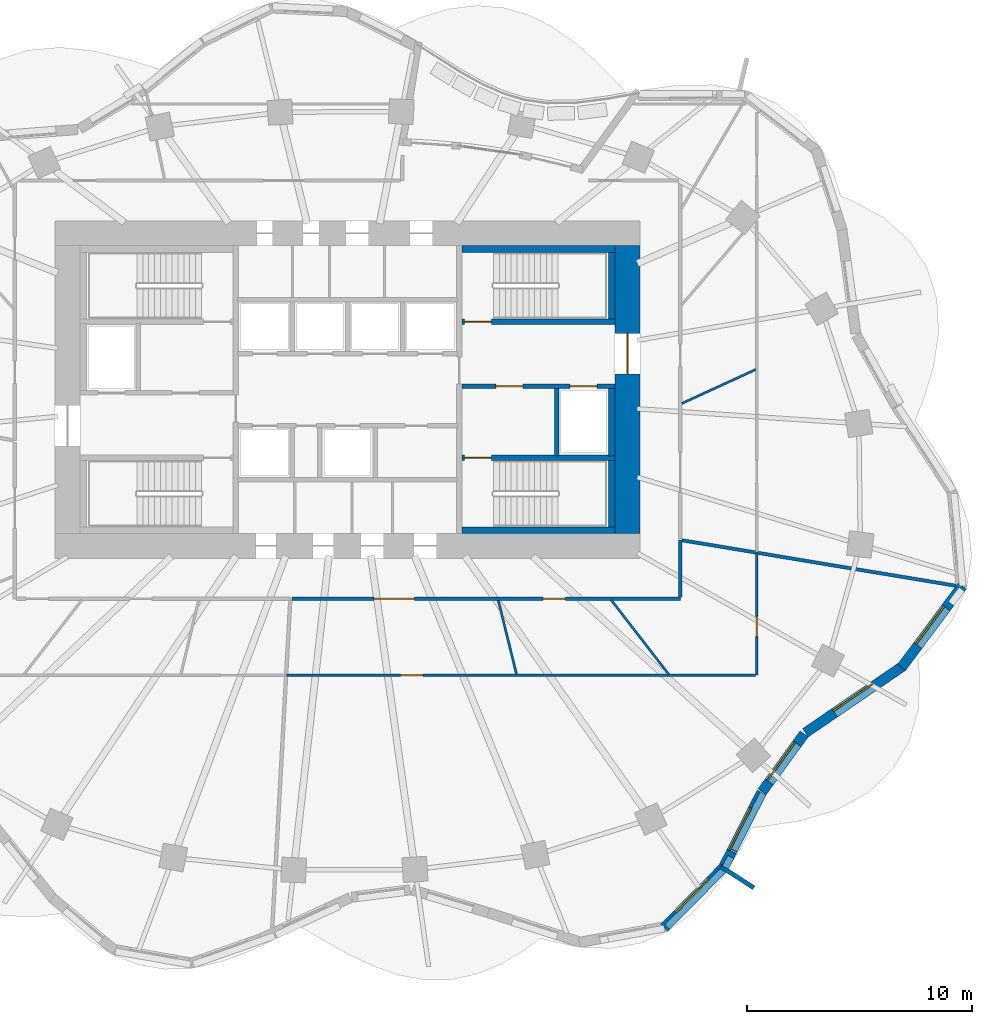
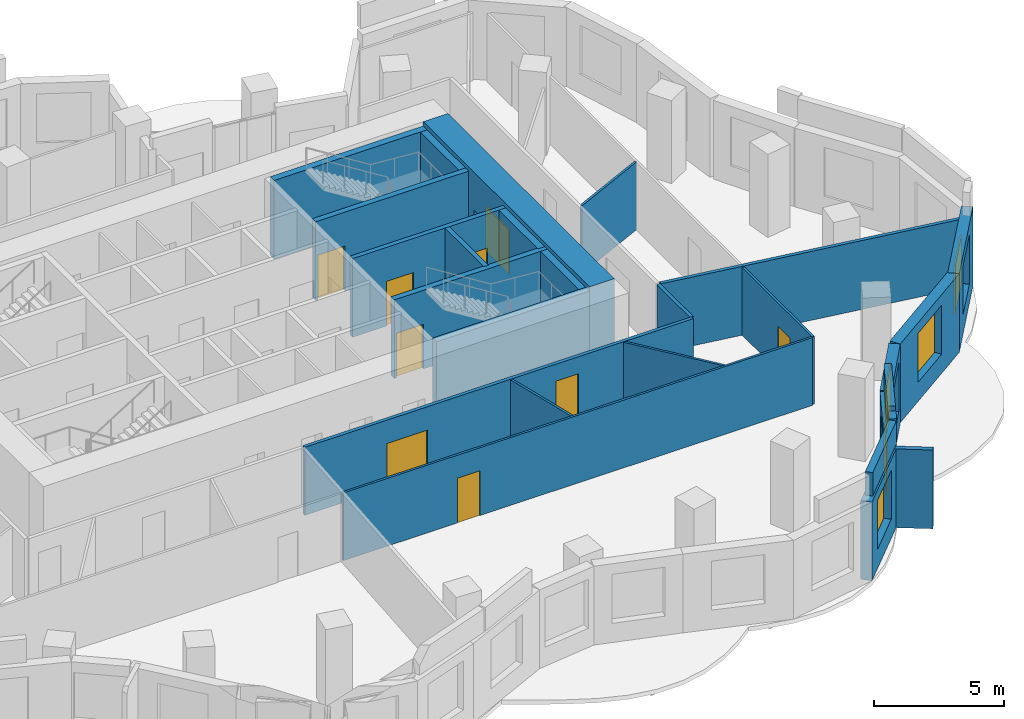
# One storey, part 7 of 11: 27 walls, 9 doors, 5 windows, 14 openings.
"""IFC4 building model written with IfcOpenShell, lengths in metres."""

from ifc_helpers import new_model, si_unit, direction, frame, frame_2d, origin, place, context, subcontext, project, spatial, rectangle, extrude, material, layer, layer_set, type_object, element, fill, save


model = new_model("IFC4")

# Units and contexts
model_context = context("Model", 3, precision=1e-05, world=origin(), true_north=direction((0.0, 1.0)))
body_context = subcontext(model_context, "Body", "Model", "MODEL_VIEW")
ifc_project = project(units=[si_unit("LENGTHUNIT", "METRE"), si_unit("AREAUNIT", "SQUARE_METRE"), si_unit("VOLUMEUNIT", "CUBIC_METRE"), si_unit("PLANEANGLEUNIT", "RADIAN"), si_unit("MASSUNIT", "GRAM", prefix="KILO")], contexts=[model_context])

# Site, building, storey
site_placement = place(None, origin())
site = spatial("IfcSite", under=ifc_project, at=site_placement, CompositionType="ELEMENT")
building_placement = place(site_placement, origin())
building = spatial("IfcBuilding", under=site, at=building_placement, Name="Rubra Terraces Tower", CompositionType="ELEMENT")
storey_placement = place(building_placement, frame((0.0, 0.0, 146.10009765625)))
storey = spatial("IfcBuildingStorey", under=building, at=storey_placement, Name="L35", CompositionType="ELEMENT", Elevation=146.10009765625)

# Wall, opening, window
ifc_material_1 = material(Name="Brick masonry red-brown", Category="masonry")
ifc_layer_1 = layer(ifc_material_1, 0.449951171875)
ifc_layer_set_1 = layer_set([ifc_layer_1], Name="Brick masonry red-brown")
wall_type_1 = type_object("IfcWallType", Name="Brick facade wall 450", PredefinedType="SOLIDWALL", material=ifc_layer_set_1)
wall_1_placement = place(storey_placement, frame((14.073974609375, -19.432861328125, 0.0), z_axis=(0.0, 0.0, 1.0), x_axis=(0.702451084622, 0.711732023808, 0.0)))
wall_1 = element("IfcWall", 1, at=wall_1_placement, inside=storey, type_object=wall_type_1, Name="Facade wall L35 bay 35", PredefinedType="SOLIDWALL", context=body_context, shape_type="SweptSolid", body=[
    extrude(rectangle(XDim=3.7880859375, YDim=0.449951171875, at=frame_2d((1.89404296875, 0.0))), origin(), (0.0, 0.0, 1.0), 3.699951171875),
])
opening_1_placement = place(wall_1_placement, frame((0.843994140625, 0.0, 0.89990234375)))
opening_1 = element("IfcOpeningElement", 2, at=opening_1_placement, cuts=wall_1, Name="Opening W1B", PredefinedType="OPENING", context=body_context, shape_type="SweptSolid", body=[
    extrude(rectangle(XDim=2.10009765625, YDim=2.300048828125, at=frame_2d((1.050048828125, 1.14990234375))), frame((0.0, 0.23486328125, 0.0), z_axis=(0.0, -1.0, 0.0), x_axis=(1.0, 0.0, 0.0)), (0.0, 0.0, 1.0), 0.469970703125),
])
ifc_material_2 = material(Name="Clear glass in aluminium frame", Category="aluminium")
window_type = type_object("IfcWindowType", Name="Fixed deep-set window tall storey 2100 x 2300", PartitioningType="SINGLE_PANEL", PredefinedType="WINDOW", material=ifc_material_2)
window_1_placement = place(opening_1_placement, origin())
window_1 = element("IfcWindow", 3, at=window_1_placement, inside=storey, type_object=window_type, Name="Window L35 bay 35", OverallHeight=2.300048828125, OverallWidth=2.10009765625, PartitioningType="SINGLE_PANEL", PredefinedType="WINDOW", context=body_context, shape_type="SweptSolid", body=[
    extrude(rectangle(XDim=2.10009765625, YDim=2.300048828125, at=frame_2d((1.050048828125, 1.14990234375))), frame((0.0, 0.135009765625, 0.0), z_axis=(0.0, -1.0, 0.0), x_axis=(1.0, 0.0, 0.0)), (0.0, 0.0, 1.0), 0.06005859375),
])
fill(opening_1, window_1)

wall_2_placement = place(storey_placement, frame((16.697021484375, -16.7880859375, 0.0), z_axis=(0.0, 0.0, 1.0), x_axis=(0.453390768189, 0.891311848525, 0.0)))
wall_2 = element("IfcWall", 4, at=wall_2_placement, inside=storey, type_object=wall_type_1, Name="Facade wall L35 bay 36", PredefinedType="SOLIDWALL", context=body_context, shape_type="SweptSolid", body=[
    extrude(rectangle(XDim=3.78759765625, YDim=0.449951171875, at=frame_2d((1.893798828125, 0.0))), origin(), (0.0, 0.0, 1.0), 3.699951171875),
])
opening_2_placement = place(wall_2_placement, frame((0.843994140625, 0.0, 0.89990234375)))
opening_2 = element("IfcOpeningElement", 5, at=opening_2_placement, cuts=wall_2, Name="Opening W1B", PredefinedType="OPENING", context=body_context, shape_type="SweptSolid", body=[
    extrude(rectangle(XDim=2.10009765625, YDim=2.300048828125, at=frame_2d((1.050048828125, 1.14990234375))), frame((0.0, 0.23486328125, 0.0), z_axis=(0.0, -1.0, 0.0), x_axis=(1.0, 0.0, 0.0)), (0.0, 0.0, 1.0), 0.469970703125),
])
window_2_placement = place(opening_2_placement, origin())
window_2 = element("IfcWindow", 6, at=window_2_placement, inside=storey, type_object=window_type, Name="Window L35 bay 36", OverallHeight=2.300048828125, OverallWidth=2.10009765625, PartitioningType="SINGLE_PANEL", PredefinedType="WINDOW", context=body_context, shape_type="SweptSolid", body=[
    extrude(rectangle(XDim=2.10009765625, YDim=2.300048828125, at=frame_2d((1.050048828125, 1.14990234375))), frame((0.0, 0.135009765625, 0.0), z_axis=(0.0, -1.0, 0.0), x_axis=(1.0, 0.0, 0.0)), (0.0, 0.0, 1.0), 0.06005859375),
])
fill(opening_2, window_2)

wall_3_placement = place(storey_placement, frame((18.43408203125, -13.381103515625, 0.0), z_axis=(0.0, 0.0, 1.0), x_axis=(0.58867331001, 0.808371037384, 0.0)))
wall_3 = element("IfcWall", 7, at=wall_3_placement, inside=storey, type_object=wall_type_1, Name="Facade wall L35 bay 37", PredefinedType="SOLIDWALL", context=body_context, shape_type="SweptSolid", body=[
    extrude(rectangle(XDim=3.1826171875, YDim=0.449951171875, at=frame_2d((1.59130859375, 0.0))), origin(), (0.0, 0.0, 1.0), 3.699951171875),
])
opening_3_placement = place(wall_3_placement, frame((0.541259765625, 0.0, 0.89990234375)))
opening_3 = element("IfcOpeningElement", 8, at=opening_3_placement, cuts=wall_3, Name="Opening W1B", PredefinedType="OPENING", context=body_context, shape_type="SweptSolid", body=[
    extrude(rectangle(XDim=2.10009765625, YDim=2.300048828125, at=frame_2d((1.050048828125, 1.14990234375))), frame((0.0, 0.23486328125, 0.0), z_axis=(0.0, -1.0, 0.0), x_axis=(1.0, 0.0, 0.0)), (0.0, 0.0, 1.0), 0.469970703125),
])
window_3_placement = place(opening_3_placement, origin())
window_3 = element("IfcWindow", 9, at=window_3_placement, inside=storey, type_object=window_type, Name="Window L35 bay 37", OverallHeight=2.300048828125, OverallWidth=2.10009765625, PartitioningType="SINGLE_PANEL", PredefinedType="WINDOW", context=body_context, shape_type="SweptSolid", body=[
    extrude(rectangle(XDim=2.10009765625, YDim=2.300048828125, at=frame_2d((1.050048828125, 1.14990234375))), frame((0.0, 0.135009765625, 0.0), z_axis=(0.0, -1.0, 0.0), x_axis=(1.0, 0.0, 0.0)), (0.0, 0.0, 1.0), 0.06005859375),
])
fill(opening_3, window_3)

wall_4_placement = place(storey_placement, frame((20.358642578125, -10.760498046875, 0.0), z_axis=(0.0, 0.0, 1.0), x_axis=(0.825616460661, 0.564231743068, 0.0)))
wall_4 = element("IfcWall", 10, at=wall_4_placement, inside=storey, type_object=wall_type_1, Name="Facade wall L35 bay 38", PredefinedType="SOLIDWALL", context=body_context, shape_type="SweptSolid", body=[
    extrude(rectangle(XDim=5.246337890625, YDim=0.449951171875, at=frame_2d((2.623046875, 0.0))), origin(), (0.0, 0.0, 1.0), 3.699951171875),
])
opening_4_placement = place(wall_4_placement, frame((1.5732421875, 0.0, 0.89990234375)))
opening_4 = element("IfcOpeningElement", 11, at=opening_4_placement, cuts=wall_4, Name="Opening W1B", PredefinedType="OPENING", context=body_context, shape_type="SweptSolid", body=[
    extrude(rectangle(XDim=2.10009765625, YDim=2.300048828125, at=frame_2d((1.050048828125, 1.14990234375))), frame((0.0, 0.23486328125, 0.0), z_axis=(0.0, -1.0, 0.0), x_axis=(1.0, 0.0, 0.0)), (0.0, 0.0, 1.0), 0.469970703125),
])
window_4_placement = place(opening_4_placement, origin())
window_4 = element("IfcWindow", 12, at=window_4_placement, inside=storey, type_object=window_type, Name="Window L35 bay 38", OverallHeight=2.300048828125, OverallWidth=2.10009765625, PartitioningType="SINGLE_PANEL", PredefinedType="WINDOW", context=body_context, shape_type="SweptSolid", body=[
    extrude(rectangle(XDim=2.10009765625, YDim=2.300048828125, at=frame_2d((1.050048828125, 1.14990234375))), frame((0.0, 0.135009765625, 0.0), z_axis=(0.0, -1.0, 0.0), x_axis=(1.0, 0.0, 0.0)), (0.0, 0.0, 1.0), 0.06005859375),
])
fill(opening_4, window_4)

wall_5_placement = place(storey_placement, frame((24.63671875, -7.851806640625, 0.0), z_axis=(0.0, 0.0, 1.0), x_axis=(0.597518748368, 0.80185494034, 0.0)))
wall_5 = element("IfcWall", 13, at=wall_5_placement, inside=storey, type_object=wall_type_1, Name="Facade wall L35 bay 39", PredefinedType="SOLIDWALL", context=body_context, shape_type="SweptSolid", body=[
    extrude(rectangle(XDim=4.5234375, YDim=0.449951171875, at=frame_2d((2.26171875, 0.0))), origin(), (0.0, 0.0, 1.0), 3.699951171875),
])
opening_5_placement = place(wall_5_placement, frame((1.211669921875, 0.0, 0.89990234375)))
opening_5 = element("IfcOpeningElement", 14, at=opening_5_placement, cuts=wall_5, Name="Opening W1B", PredefinedType="OPENING", context=body_context, shape_type="SweptSolid", body=[
    extrude(rectangle(XDim=2.10009765625, YDim=2.300048828125, at=frame_2d((1.050048828125, 1.14990234375))), frame((0.0, 0.23486328125, 0.0), z_axis=(0.0, -1.0, 0.0), x_axis=(1.0, 0.0, 0.0)), (0.0, 0.0, 1.0), 0.469970703125),
])
window_5_placement = place(opening_5_placement, origin())
window_5 = element("IfcWindow", 15, at=window_5_placement, inside=storey, type_object=window_type, Name="Window L35 bay 39", OverallHeight=2.300048828125, OverallWidth=2.10009765625, PartitioningType="SINGLE_PANEL", PredefinedType="WINDOW", context=body_context, shape_type="SweptSolid", body=[
    extrude(rectangle(XDim=2.10009765625, YDim=2.300048828125, at=frame_2d((1.050048828125, 1.14990234375))), frame((0.0, 0.135009765625, 0.0), z_axis=(0.0, -1.0, 0.0), x_axis=(1.0, 0.0, 0.0)), (0.0, 0.0, 1.0), 0.06005859375),
])
fill(opening_5, window_5)

# Walls
ifc_layer_2 = layer(ifc_material_1, 0.300048828125)
ifc_layer_set_2 = layer_set([ifc_layer_2], Name="Brick masonry red-brown")
wall_type_2 = type_object("IfcWallType", Name="Brick parapet 300", PredefinedType="PARAPET", material=ifc_layer_set_2)
wall_6_placement = place(storey_placement, frame((14.21484375, -19.39697265625, 3.89990234375), z_axis=(0.0, 0.0, 1.0), x_axis=(0.702463448063, 0.711719821373, 0.0)))
element("IfcWall", 16, at=wall_6_placement, inside=storey, type_object=wall_type_2, Name="Parapet L35 bay 35", PredefinedType="PARAPET", context=body_context, shape_type="SweptSolid", body=[
    extrude(rectangle(XDim=3.587158203125, YDim=0.300048828125, at=frame_2d((1.79345703125, 0.0))), origin(), (0.0, 0.0, 1.0), 1.10009765625),
])
wall_7_placement = place(storey_placement, frame((16.796142578125, -16.758544921875, 3.89990234375), z_axis=(0.0, 0.0, 1.0), x_axis=(0.453387528551, 0.89131349645, 0.0)))
element("IfcWall", 17, at=wall_7_placement, inside=storey, type_object=wall_type_2, Name="Parapet L35 bay 36", PredefinedType="PARAPET", context=body_context, shape_type="SweptSolid", body=[
    extrude(rectangle(XDim=0.536865234375, YDim=0.300048828125, at=frame_2d((0.2685546875, 0.0))), origin(), (0.0, 0.0, 1.0), 1.10009765625),
])
wall_8_placement = place(storey_placement, frame((17.18896484375, -15.986083984375, 3.89990234375), z_axis=(0.0, 0.0, 1.0), x_axis=(0.453374811941, 0.891319964938, 0.0)))
element("IfcWall", 18, at=wall_8_placement, inside=storey, type_object=wall_type_2, Name="Parapet L35 bay 36.2", PredefinedType="PARAPET", context=body_context, shape_type="SweptSolid", body=[
    extrude(rectangle(XDim=2.84814453125, YDim=0.300048828125, at=frame_2d((1.424072265625, 0.0))), origin(), (0.0, 0.0, 1.0), 1.10009765625),
])
ifc_layer_3 = layer(ifc_material_1, 0.199951171875)
ifc_layer_set_3 = layer_set([ifc_layer_3], Name="Brick masonry red-brown")
wall_type_3 = type_object("IfcWallType", Name="Brick wind fin 200", PredefinedType="SOLIDWALL", material=ifc_layer_set_3)
wall_9_placement = place(storey_placement, frame((16.60205078125, -16.702880859375, 0.0), z_axis=(0.0, 0.0, 1.0), x_axis=(0.8390232549, -0.54409555938, 0.0)))
element("IfcWall", 19, at=wall_9_placement, inside=storey, type_object=wall_type_3, Name="Wind fin L35 17", PredefinedType="SOLIDWALL", context=body_context, shape_type="SweptSolid", body=[
    extrude(rectangle(XDim=1.75, YDim=0.199951171875, at=frame_2d((0.875, 0.0))), origin(), (0.0, 0.0, 1.0), 3.699951171875),
])

# Wall, opening, door
ifc_material_3 = material(Name="Concrete C60", Category="concrete")
ifc_layer_4 = layer(ifc_material_3, 1.10009765625)
ifc_layer_set_4 = layer_set([ifc_layer_4], Name="Concrete C60")
wall_type_4 = type_object("IfcWallType", Name="CORE WALL 1100 C60", PredefinedType="SHEAR", material=ifc_layer_set_4)
wall_10_placement = place(storey_placement, frame((12.449951171875, -1.89990234375, 0.0), z_axis=(0.0, 0.0, 1.0), x_axis=(0.0, 1.0, 0.0)))
wall_10 = element("IfcWall", 20, at=wall_10_placement, inside=storey, type_object=wall_type_4, Name="CORE WALL E L35", PredefinedType="SHEAR", context=body_context, shape_type="SweptSolid", body=[
    extrude(rectangle(XDim=12.7998046875, YDim=1.10009765625, at=frame_2d((6.39990234375, 0.0))), origin(), (0.0, 0.0, 1.0), 3.89990234375),
])
opening_6_placement = place(wall_10_placement, frame((7.10009765625, 0.0, 0.0)))
opening_6 = element("IfcOpeningElement", 21, at=opening_6_placement, cuts=wall_10, Name="Opening L35.C02", PredefinedType="OPENING", context=body_context, shape_type="SweptSolid", body=[
    extrude(rectangle(XDim=1.800048828125, YDim=2.10009765625, at=frame_2d((0.89990234375, 1.050048828125))), frame((0.0, 0.56005859375, 0.0), z_axis=(0.0, -1.0, 0.0), x_axis=(1.0, 0.0, 0.0)), (0.0, 0.0, 1.0), 1.1201171875),
])
ifc_material_4 = material(Name="Painted steel", Category="steel")
door_type_1 = type_object("IfcDoorType", Name="Fire door 1800x2100 double", OperationType="NOTDEFINED", PredefinedType="DOOR", material=ifc_material_4)
door_1_placement = place(opening_6_placement, origin())
door_1 = element("IfcDoor", 22, at=door_1_placement, inside=storey, type_object=door_type_1, Name="Core entrance door FF2", OperationType="DOUBLE_DOOR_SINGLE_SWING", OverallHeight=2.10009765625, OverallWidth=1.800048828125, PredefinedType="DOOR", context=body_context, shape_type="SweptSolid", body=[
    extrude(rectangle(XDim=1.800048828125, YDim=2.10009765625, at=frame_2d((0.89990234375, 1.050048828125))), frame((0.0, 0.02490234375, 0.0), z_axis=(0.0, -1.0, 0.0), x_axis=(1.0, 0.0, 0.0)), (0.0, 0.0, 1.0), 0.050048828125),
])
fill(opening_6, door_1)

# Wall, openings, doors
ifc_material_5 = material(Name="Plasterboard on steel stud, mineral wool infill", Category="steel")
ifc_layer_5 = layer(ifc_material_5, 0.14990234375)
ifc_layer_set_5 = layer_set([ifc_layer_5], Name="Plasterboard on steel stud, mineral wool infill")
wall_type_5 = type_object("IfcWallType", Name="CORRIDOR PARTITION 150", PredefinedType="PARTITIONING", material=ifc_layer_set_5)
wall_11_placement = place(storey_placement, frame((-2.46728515625, -4.800048828125, 0.0), z_axis=(0.0, 0.0, 1.0), x_axis=(1.0, 0.0, 0.0)))
wall_11 = element("IfcWall", 23, at=wall_11_placement, inside=storey, type_object=wall_type_5, Name="PARTITION", PredefinedType="PARTITIONING", context=body_context, shape_type="SweptSolid", body=[
    extrude(rectangle(XDim=17.267333984375, YDim=0.14990234375, at=frame_2d((8.6337890625, 0.0))), origin(), (0.0, 0.0, 1.0), 3.197998046875),
])
opening_7_placement = place(wall_11_placement, frame((3.639892578125, 0.0, 0.0)))
opening_7 = element("IfcOpeningElement", 24, at=opening_7_placement, cuts=wall_11, Name="Opening 35-109", PredefinedType="OPENING", context=body_context, shape_type="SweptSolid", body=[
    extrude(rectangle(XDim=1.800048828125, YDim=2.10009765625, at=frame_2d((0.89990234375, 1.050048828125))), frame((0.0, 0.0849609375, 0.0), z_axis=(0.0, -1.0, 0.0), x_axis=(1.0, 0.0, 0.0)), (0.0, 0.0, 1.0), 0.169921875),
])
opening_8_placement = place(wall_11_placement, frame((11.152099609375, 0.0, 0.0)))
opening_8 = element("IfcOpeningElement", 25, at=opening_8_placement, cuts=wall_11, Name="Opening 35-111", PredefinedType="OPENING", context=body_context, shape_type="SweptSolid", body=[
    extrude(rectangle(XDim=1.0, YDim=2.39990234375, at=frame_2d((0.5, 1.199951171875))), frame((0.0, 0.0849609375, 0.0), z_axis=(0.0, -1.0, 0.0), x_axis=(1.0, 0.0, 0.0)), (0.0, 0.0, 1.0), 0.169921875),
])
ifc_material_6 = material(Name="Glazed aluminium meeting door leaf", Category="aluminium")
door_type_2 = type_object("IfcDoorType", Name="MEETING ROOM GLAZED DOOR 1000 X 2400", OperationType="SINGLE_SWING_LEFT", PredefinedType="DOOR", material=ifc_material_6)
door_2_placement = place(opening_8_placement, origin())
door_2 = element("IfcDoor", 26, at=door_2_placement, inside=storey, type_object=door_type_2, Name="DOOR 35-111", OperationType="SINGLE_SWING_RIGHT", OverallHeight=2.39990234375, OverallWidth=1.0, PredefinedType="DOOR", context=body_context, shape_type="SweptSolid", body=[
    extrude(rectangle(XDim=1.0, YDim=2.39990234375, at=frame_2d((0.5, 1.199951171875))), frame((0.0, 0.02490234375, 0.0), z_axis=(0.0, -1.0, 0.0), x_axis=(1.0, 0.0, 0.0)), (0.0, 0.0, 1.0), 0.050048828125),
])
fill(opening_8, door_2)
ifc_material_7 = material(Name="Painted timber door leaf, double", Category="wood")
door_type_3 = type_object("IfcDoorType", Name="ROOM DOUBLE DOOR 1800 X 2100", OperationType="DOUBLE_DOOR_SINGLE_SWING", PredefinedType="DOOR", material=ifc_material_7)
door_3_placement = place(opening_7_placement, origin())
door_3 = element("IfcDoor", 27, at=door_3_placement, inside=storey, type_object=door_type_3, Name="DOOR 35-109", OperationType="DOUBLE_DOOR_SINGLE_SWING", OverallHeight=2.10009765625, OverallWidth=1.800048828125, PredefinedType="DOOR", context=body_context, shape_type="SweptSolid", body=[
    extrude(rectangle(XDim=1.800048828125, YDim=2.10009765625, at=frame_2d((0.89990234375, 1.050048828125))), frame((0.0, 0.02490234375, 0.0), z_axis=(0.0, -1.0, 0.0), x_axis=(1.0, 0.0, 0.0)), (0.0, 0.0, 1.0), 0.050048828125),
])
fill(opening_7, door_3)

# Walls
wall_12_placement = place(storey_placement, frame((14.800048828125, -4.72509765625, 0.0), z_axis=(0.0, 0.0, 1.0), x_axis=(0.0, 1.0, 0.0)))
element("IfcWall", 28, at=wall_12_placement, inside=storey, type_object=wall_type_5, Name="PARTITION", PredefinedType="PARTITIONING", context=body_context, shape_type="SweptSolid", body=[
    extrude(rectangle(XDim=2.5390625, YDim=0.14990234375, at=frame_2d((1.26953125, 0.0))), origin(), (0.0, 0.0, 1.0), 3.197998046875),
])
ifc_material_8 = material(Name="Concrete C40", Category="concrete")
ifc_layer_6 = layer(ifc_material_8, 0.300048828125)
ifc_layer_set_6 = layer_set([ifc_layer_6], Name="Concrete C40")
wall_type_6 = type_object("IfcWallType", Name="Core lining wall 300 concrete", PredefinedType="SOLIDWALL", material=ifc_layer_set_6)
wall_13_placement = place(storey_placement, frame((11.89990234375, 10.75, 0.0), z_axis=(0.0, 0.0, 1.0), x_axis=(-1.0, 0.0, 0.0)))
element("IfcWall", 29, at=wall_13_placement, inside=storey, type_object=wall_type_6, Name="CORE LINING WALL L35", PredefinedType="SOLIDWALL", context=body_context, shape_type="SweptSolid", body=[
    extrude(rectangle(XDim=6.7998046875, YDim=0.300048828125, at=frame_2d((3.39990234375, 0.0))), origin(), (0.0, 0.0, 1.0), 3.699951171875),
])
wall_14_placement = place(storey_placement, frame((11.75, 10.60009765625, 0.0), z_axis=(0.0, 0.0, 1.0), x_axis=(0.0, -1.0, 0.0)))
element("IfcWall", 30, at=wall_14_placement, inside=storey, type_object=wall_type_6, Name="CORE LINING WALL L35", PredefinedType="SOLIDWALL", context=body_context, shape_type="SweptSolid", body=[
    extrude(rectangle(XDim=2.9501953125, YDim=0.300048828125, at=frame_2d((1.47509765625, 0.0))), origin(), (0.0, 0.0, 1.0), 3.699951171875),
])
wall_15_placement = place(storey_placement, frame((11.75, 4.550048828125, 0.0), z_axis=(0.0, 0.0, 1.0), x_axis=(0.0, -1.0, 0.0)))
element("IfcWall", 31, at=wall_15_placement, inside=storey, type_object=wall_type_6, Name="CORE LINING WALL L35", PredefinedType="SOLIDWALL", context=body_context, shape_type="SweptSolid", body=[
    extrude(rectangle(XDim=3.0, YDim=0.300048828125, at=frame_2d((1.5, 0.0))), origin(), (0.0, 0.0, 1.0), 3.699951171875),
])
wall_16_placement = place(storey_placement, frame((11.75, 1.35009765625, 0.0), z_axis=(0.0, 0.0, 1.0), x_axis=(0.0, -1.0, 0.0)))
element("IfcWall", 32, at=wall_16_placement, inside=storey, type_object=wall_type_6, Name="CORE LINING WALL L35", PredefinedType="SOLIDWALL", context=body_context, shape_type="SweptSolid", body=[
    extrude(rectangle(XDim=2.9501953125, YDim=0.300048828125, at=frame_2d((1.47509765625, 0.0))), origin(), (0.0, 0.0, 1.0), 3.699951171875),
])
wall_17_placement = place(storey_placement, frame((11.89990234375, -1.75, 0.0), z_axis=(0.0, 0.0, 1.0), x_axis=(-1.0, 0.0, 0.0)))
element("IfcWall", 33, at=wall_17_placement, inside=storey, type_object=wall_type_6, Name="CORE LINING WALL L35", PredefinedType="SOLIDWALL", context=body_context, shape_type="SweptSolid", body=[
    extrude(rectangle(XDim=6.7998046875, YDim=0.300048828125, at=frame_2d((3.39990234375, 0.0))), origin(), (0.0, 0.0, 1.0), 3.699951171875),
])

# Wall, openings, doors
ifc_material_9 = material(Name="Concrete C30", Category="concrete")
ifc_layer_7 = layer(ifc_material_9, 0.199951171875)
ifc_layer_set_7 = layer_set([ifc_layer_7], Name="Concrete C30")
wall_type_7 = type_object("IfcWallType", Name="Core wall 200 concrete", PredefinedType="SOLIDWALL", material=ifc_layer_set_7)
wall_18_placement = place(storey_placement, frame((11.89990234375, 4.64990234375, 0.0), z_axis=(0.0, 0.0, 1.0), x_axis=(-1.0, 0.0, 0.0)))
wall_18 = element("IfcWall", 34, at=wall_18_placement, inside=storey, type_object=wall_type_7, Name="STAIR WALL L35", PredefinedType="SOLIDWALL", context=body_context, shape_type="SweptSolid", body=[
    extrude(rectangle(XDim=6.7998046875, YDim=0.199951171875, at=frame_2d((3.39990234375, 0.0))), origin(), (0.0, 0.0, 1.0), 3.699951171875),
])
opening_9_placement = place(wall_18_placement, frame((4.10009765625, 0.0, 0.0)))
opening_9 = element("IfcOpeningElement", 35, at=opening_9_placement, cuts=wall_18, Name="Opening L35.C06", PredefinedType="OPENING", context=body_context, shape_type="SweptSolid", body=[
    extrude(rectangle(XDim=1.199951171875, YDim=2.10009765625, at=frame_2d((0.60009765625, 1.050048828125))), frame((0.0, 0.10986328125, 0.0), z_axis=(0.0, -1.0, 0.0), x_axis=(1.0, 0.0, 0.0)), (0.0, 0.0, 1.0), 0.219970703125),
])
opening_10_placement = place(wall_18_placement, frame((0.800048828125, 0.0, 0.0)))
opening_10 = element("IfcOpeningElement", 36, at=opening_10_placement, cuts=wall_18, Name="Opening L35.C12", PredefinedType="OPENING", context=body_context, shape_type="SweptSolid", body=[
    extrude(rectangle(XDim=1.199951171875, YDim=2.10009765625, at=frame_2d((0.60009765625, 1.050048828125))), frame((0.0, 0.10986328125, 0.0), z_axis=(0.0, -1.0, 0.0), x_axis=(1.0, 0.0, 0.0)), (0.0, 0.0, 1.0), 0.219970703125),
])
door_type_4 = type_object("IfcDoorType", Name="Fire door 1200x2100 single", OperationType="NOTDEFINED", PredefinedType="DOOR", material=ifc_material_4)
door_4_placement = place(opening_9_placement, origin())
door_4 = element("IfcDoor", 37, at=door_4_placement, inside=storey, type_object=door_type_4, Name="Stair vestibule door S4", OperationType="SINGLE_SWING_RIGHT", OverallHeight=2.10009765625, OverallWidth=1.199951171875, PredefinedType="DOOR", context=body_context, shape_type="SweptSolid", body=[
    extrude(rectangle(XDim=1.199951171875, YDim=2.10009765625, at=frame_2d((0.60009765625, 1.050048828125))), frame((0.0, 0.02490234375, 0.0), z_axis=(0.0, -1.0, 0.0), x_axis=(1.0, 0.0, 0.0)), (0.0, 0.0, 1.0), 0.050048828125),
])
fill(opening_9, door_4)
ifc_material_10 = material(Name="Stainless steel", Category="steel")
door_type_5 = type_object("IfcDoorType", Name="Lift landing door 1200x2100", OperationType="NOTDEFINED", PredefinedType="DOOR", material=ifc_material_10)
door_5_placement = place(opening_10_placement, origin())
door_5 = element("IfcDoor", 38, at=door_5_placement, inside=storey, type_object=door_type_5, Name="Landing door FF2", OperationType="SLIDING_TO_RIGHT", OverallHeight=2.10009765625, OverallWidth=1.199951171875, PredefinedType="DOOR", context=body_context, shape_type="SweptSolid", body=[
    extrude(rectangle(XDim=1.199951171875, YDim=2.10009765625, at=frame_2d((0.60009765625, 1.050048828125))), frame((0.0, 0.02490234375, 0.0), z_axis=(0.0, -1.0, 0.0), x_axis=(1.0, 0.0, 0.0)), (0.0, 0.0, 1.0), 0.050048828125),
])
fill(opening_10, door_5)

# Wall
wall_19_placement = place(storey_placement, frame((9.300048828125, 4.550048828125, 0.0), z_axis=(0.0, 0.0, 1.0), x_axis=(0.0, -1.0, 0.0)))
element("IfcWall", 39, at=wall_19_placement, inside=storey, type_object=wall_type_7, Name="STAIR WALL L35", PredefinedType="SOLIDWALL", context=body_context, shape_type="SweptSolid", body=[
    extrude(rectangle(XDim=3.0, YDim=0.199951171875, at=frame_2d((1.5, 0.0))), origin(), (0.0, 0.0, 1.0), 3.699951171875),
])

# Wall, opening, door
ifc_material_11 = material(Name="Plasterboard on steel stud", Category="steel")
ifc_layer_8 = layer(ifc_material_11, 0.10009765625)
ifc_layer_set_8 = layer_set([ifc_layer_8], Name="Plasterboard on steel stud")
wall_type_8 = type_object("IfcWallType", Name="ROOM PARTITION 100", PredefinedType="PARTITIONING", material=ifc_layer_set_8)
wall_20_placement = place(storey_placement, frame((18.199951171875, -2.771484375, 0.0), z_axis=(0.0, 0.0, 1.0), x_axis=(0.0, -1.0, 0.0)))
wall_20 = element("IfcWall", 40, at=wall_20_placement, inside=storey, type_object=wall_type_8, Name="PARTITION", PredefinedType="PARTITIONING", context=body_context, shape_type="SweptSolid", body=[
    extrude(rectangle(XDim=5.428466796875, YDim=0.10009765625, at=frame_2d((2.71435546875, 0.0))), origin(), (0.0, 0.0, 1.0), 3.183837890625),
])
opening_11_placement = place(wall_20_placement, frame((2.81689453125, 0.0, 0.0)))
opening_11 = element("IfcOpeningElement", 41, at=opening_11_placement, cuts=wall_20, Name="Opening 35-112", PredefinedType="OPENING", context=body_context, shape_type="SweptSolid", body=[
    extrude(rectangle(XDim=0.89990234375, YDim=2.10009765625, at=frame_2d((0.449951171875, 1.050048828125))), frame((0.0, 0.06005859375, 0.0), z_axis=(0.0, -1.0, 0.0), x_axis=(1.0, 0.0, 0.0)), (0.0, 0.0, 1.0), 0.1201171875),
])
ifc_material_12 = material(Name="Painted timber door leaf", Category="wood")
door_type_6 = type_object("IfcDoorType", Name="ROOM DOOR 900 X 2100", OperationType="SINGLE_SWING_LEFT", PredefinedType="DOOR", material=ifc_material_12)
door_6_placement = place(opening_11_placement, origin())
door_6 = element("IfcDoor", 42, at=door_6_placement, inside=storey, type_object=door_type_6, Name="DOOR 35-112", OperationType="SINGLE_SWING_RIGHT", OverallHeight=2.10009765625, OverallWidth=0.89990234375, PredefinedType="DOOR", context=body_context, shape_type="SweptSolid", body=[
    extrude(rectangle(XDim=0.89990234375, YDim=2.10009765625, at=frame_2d((0.449951171875, 1.050048828125))), frame((0.0, 0.02490234375, 0.0), z_axis=(0.0, -1.0, 0.0), x_axis=(1.0, 0.0, 0.0)), (0.0, 0.0, 1.0), 0.050048828125),
])
fill(opening_11, door_6)

wall_21_placement = place(storey_placement, frame((18.14990234375, -8.199951171875, 0.0), z_axis=(0.0, 0.0, 1.0), x_axis=(-1.0, 0.0, 0.0)))
wall_21 = element("IfcWall", 43, at=wall_21_placement, inside=storey, type_object=wall_type_8, Name="PARTITION", PredefinedType="PARTITIONING", context=body_context, shape_type="SweptSolid", body=[
    extrude(rectangle(XDim=20.859130859375, YDim=0.10009765625, at=frame_2d((10.4296875, 0.0))), origin(), (0.0, 0.0, 1.0), 3.183837890625),
])
opening_12_placement = place(wall_21_placement, frame((14.79296875, 0.0, 0.0)))
opening_12 = element("IfcOpeningElement", 44, at=opening_12_placement, cuts=wall_21, Name="Opening 35-110", PredefinedType="OPENING", context=body_context, shape_type="SweptSolid", body=[
    extrude(rectangle(XDim=1.0, YDim=2.10009765625, at=frame_2d((0.5, 1.050048828125))), frame((0.0, 0.06005859375, 0.0), z_axis=(0.0, -1.0, 0.0), x_axis=(1.0, 0.0, 0.0)), (0.0, 0.0, 1.0), 0.1201171875),
])
door_type_7 = type_object("IfcDoorType", Name="ROOM DOOR 1000 X 2100", OperationType="SINGLE_SWING_LEFT", PredefinedType="DOOR", material=ifc_material_12)
door_7_placement = place(opening_12_placement, origin())
door_7 = element("IfcDoor", 45, at=door_7_placement, inside=storey, type_object=door_type_7, Name="DOOR 35-110", OperationType="SINGLE_SWING_LEFT", OverallHeight=2.10009765625, OverallWidth=1.0, PredefinedType="DOOR", context=body_context, shape_type="SweptSolid", body=[
    extrude(rectangle(XDim=1.0, YDim=2.10009765625, at=frame_2d((0.5, 1.050048828125))), frame((0.0, 0.02490234375, 0.0), z_axis=(0.0, -1.0, 0.0), x_axis=(1.0, 0.0, 0.0)), (0.0, 0.0, 1.0), 0.050048828125),
])
fill(opening_12, door_7)

# Walls
wall_22_placement = place(storey_placement, frame((6.704833984375, -4.872802734375, 0.0), z_axis=(0.0, 0.0, 1.0), x_axis=(0.239438495926, -0.970911533904, 0.0)))
element("IfcWall", 46, at=wall_22_placement, inside=storey, type_object=wall_type_8, Name="PARTITION", PredefinedType="PARTITIONING", context=body_context, shape_type="SweptSolid", body=[
    extrude(rectangle(XDim=3.376953125, YDim=0.10009765625, at=frame_2d((1.6884765625, 0.0))), origin(), (0.0, 0.0, 1.0), 3.183837890625),
])
wall_23_placement = place(storey_placement, frame((11.72900390625, -4.859375, 0.0), z_axis=(0.0, 0.0, 1.0), x_axis=(0.611738854368, -0.791059779066, 0.0)))
element("IfcWall", 47, at=wall_23_placement, inside=storey, type_object=wall_type_8, Name="PARTITION", PredefinedType="PARTITIONING", context=body_context, shape_type="SweptSolid", body=[
    extrude(rectangle(XDim=4.1728515625, YDim=0.10009765625, at=frame_2d((2.08642578125, 0.0))), origin(), (0.0, 0.0, 1.0), 3.183837890625),
])
wall_24_placement = place(storey_placement, frame((14.8681640625, 3.88623046875, 0.0), z_axis=(0.0, 0.0, 1.0), x_axis=(0.908901714509, 0.417010399585, 0.0)))
element("IfcWall", 48, at=wall_24_placement, inside=storey, type_object=wall_type_8, Name="PARTITION", PredefinedType="PARTITIONING", context=body_context, shape_type="SweptSolid", body=[
    extrude(rectangle(XDim=3.61572265625, YDim=0.10009765625, at=frame_2d((1.807861328125, 0.0))), origin(), (0.0, 0.0, 1.0), 3.183837890625),
])
ifc_layer_9 = layer(ifc_material_11, 0.14990234375)
ifc_layer_set_9 = layer_set([ifc_layer_9], Name="Plasterboard on steel stud")
wall_type_9 = type_object("IfcWallType", Name="ROOM PARTITION 150", PredefinedType="PARTITIONING", material=ifc_layer_set_9)
wall_25_placement = place(storey_placement, frame((27.051513671875, -4.222412109375, 0.0), z_axis=(0.0, 0.0, 1.0), x_axis=(-0.986468121315, 0.163953181213, 0.0)))
element("IfcWall", 49, at=wall_25_placement, inside=storey, type_object=wall_type_9, Name="PARTITION", PredefinedType="PARTITIONING", context=body_context, shape_type="SweptSolid", body=[
    extrude(rectangle(XDim=12.344482421875, YDim=0.14990234375, at=frame_2d((6.17236328125, 0.0))), origin(), (0.0, 0.0, 1.0), 3.23388671875),
])

# Wall, opening, door
ifc_layer_10 = layer(ifc_material_8, 0.25)
ifc_layer_set_10 = layer_set([ifc_layer_10], Name="Concrete C40")
wall_type_10 = type_object("IfcWallType", Name="Stair enclosure wall 250 concrete", PredefinedType="SOLIDWALL", material=ifc_layer_set_10)
wall_26_placement = place(storey_placement, frame((11.89990234375, 7.52490234375, 0.0), z_axis=(0.0, 0.0, 1.0), x_axis=(-1.0, 0.0, 0.0)))
wall_26 = element("IfcWall", 50, at=wall_26_placement, inside=storey, type_object=wall_type_10, Name="STAIR WALL L35", PredefinedType="SOLIDWALL", context=body_context, shape_type="SweptSolid", body=[
    extrude(rectangle(XDim=6.7998046875, YDim=0.25, at=frame_2d((3.39990234375, 0.0))), origin(), (0.0, 0.0, 1.0), 3.699951171875),
])
opening_13_placement = place(wall_26_placement, frame((5.5, 0.0, 0.0)))
opening_13 = element("IfcOpeningElement", 51, at=opening_13_placement, cuts=wall_26, Name="Opening L35.C08", PredefinedType="OPENING", context=body_context, shape_type="SweptSolid", body=[
    extrude(rectangle(XDim=1.199951171875, YDim=2.10009765625, at=frame_2d((0.60009765625, 1.050048828125))), frame((0.0, 0.135009765625, 0.0), z_axis=(0.0, -1.0, 0.0), x_axis=(1.0, 0.0, 0.0)), (0.0, 0.0, 1.0), 0.27001953125),
])
door_8_placement = place(opening_13_placement, origin())
door_8 = element("IfcDoor", 52, at=door_8_placement, inside=storey, type_object=door_type_4, Name="Stair door S3", OperationType="SINGLE_SWING_RIGHT", OverallHeight=2.10009765625, OverallWidth=1.199951171875, PredefinedType="DOOR", context=body_context, shape_type="SweptSolid", body=[
    extrude(rectangle(XDim=1.199951171875, YDim=2.10009765625, at=frame_2d((0.60009765625, 1.050048828125))), frame((0.0, 0.02490234375, 0.0), z_axis=(0.0, -1.0, 0.0), x_axis=(1.0, 0.0, 0.0)), (0.0, 0.0, 1.0), 0.050048828125),
])
fill(opening_13, door_8)

wall_27_placement = place(storey_placement, frame((11.89990234375, 1.47509765625, 0.0), z_axis=(0.0, 0.0, 1.0), x_axis=(-1.0, 0.0, 0.0)))
wall_27 = element("IfcWall", 53, at=wall_27_placement, inside=storey, type_object=wall_type_10, Name="STAIR WALL L35", PredefinedType="SOLIDWALL", context=body_context, shape_type="SweptSolid", body=[
    extrude(rectangle(XDim=6.7998046875, YDim=0.25, at=frame_2d((3.39990234375, 0.0))), origin(), (0.0, 0.0, 1.0), 3.699951171875),
])
opening_14_placement = place(wall_27_placement, frame((5.5, 0.0, 0.0)))
opening_14 = element("IfcOpeningElement", 54, at=opening_14_placement, cuts=wall_27, Name="Opening L35.C10", PredefinedType="OPENING", context=body_context, shape_type="SweptSolid", body=[
    extrude(rectangle(XDim=1.199951171875, YDim=2.10009765625, at=frame_2d((0.60009765625, 1.050048828125))), frame((0.0, 0.135009765625, 0.0), z_axis=(0.0, -1.0, 0.0), x_axis=(1.0, 0.0, 0.0)), (0.0, 0.0, 1.0), 0.27001953125),
])
door_9_placement = place(opening_14_placement, origin())
door_9 = element("IfcDoor", 55, at=door_9_placement, inside=storey, type_object=door_type_4, Name="Stair door S4", OperationType="SINGLE_SWING_RIGHT", OverallHeight=2.10009765625, OverallWidth=1.199951171875, PredefinedType="DOOR", context=body_context, shape_type="SweptSolid", body=[
    extrude(rectangle(XDim=1.199951171875, YDim=2.10009765625, at=frame_2d((0.60009765625, 1.050048828125))), frame((0.0, 0.02490234375, 0.0), z_axis=(0.0, -1.0, 0.0), x_axis=(1.0, 0.0, 0.0)), (0.0, 0.0, 1.0), 0.050048828125),
])
fill(opening_14, door_9)

save(model, "model.ifc")
